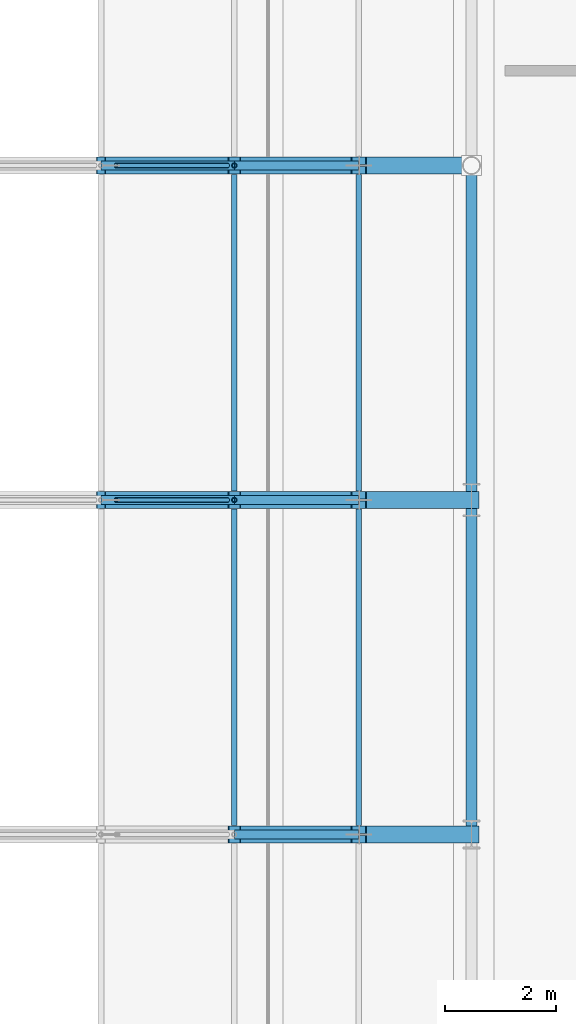
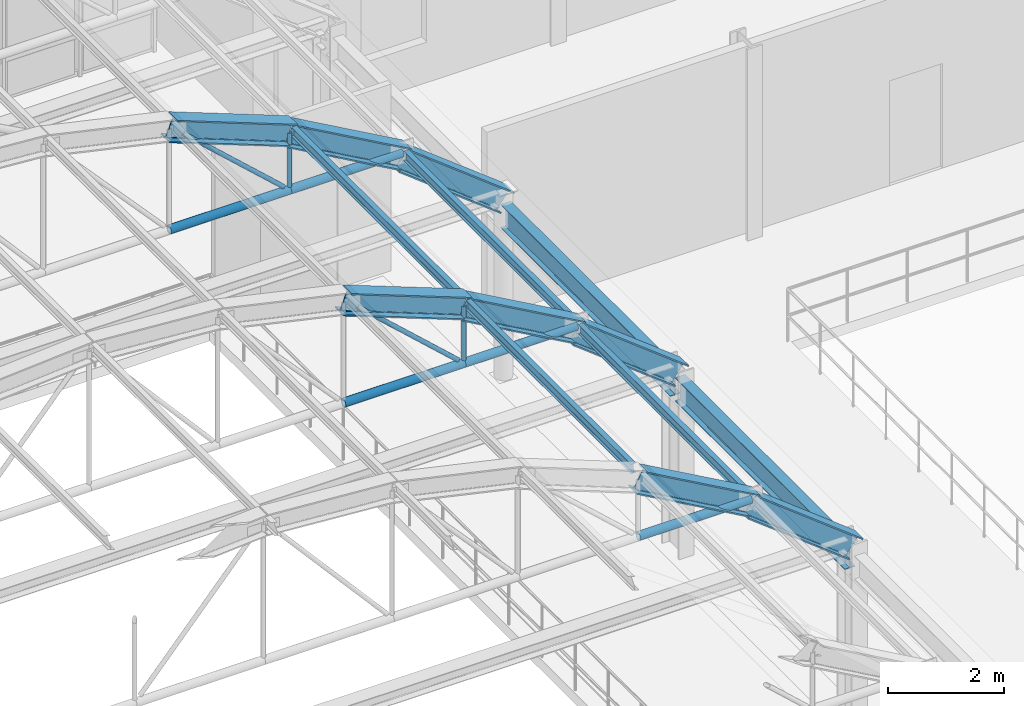
# One storey, part 50 of 148: 14 beams, 9 members.
"""IFC4 building model written with IfcOpenShell, lengths in metres."""

from ifc_helpers import new_model, si_unit, direction, frame, origin, origin_2d, place, context, subcontext, project, spatial, hollow_circle, i_section, extrude, material, material_profile, profile_set, type_object, element, save


model = new_model("IFC4")

# Units and contexts
model_context = context("Model", 3, precision=1e-05, world=origin(), true_north=direction((0.0, 1.0)))
body_context = subcontext(model_context, "Body", "Model", "MODEL_VIEW")
ifc_project = project(units=[si_unit("LENGTHUNIT", "METRE"), si_unit("AREAUNIT", "SQUARE_METRE"), si_unit("VOLUMEUNIT", "CUBIC_METRE"), si_unit("PLANEANGLEUNIT", "RADIAN"), si_unit("MASSUNIT", "GRAM", prefix="KILO"), si_unit("THERMODYNAMICTEMPERATUREUNIT", "KELVIN"), si_unit("POWERUNIT", "WATT")], contexts=[model_context])

# Site, building, storey
site_placement = place(None, origin())
site = spatial("IfcSite", under=ifc_project, at=site_placement, CompositionType="ELEMENT")
building_placement = place(site_placement, origin())
building = spatial("IfcBuilding", under=site, at=building_placement, Name="Solvatero Civic Police Headquarters", CompositionType="ELEMENT")
storey_placement = place(building_placement, frame((0.0, 0.0, 5.10009765625)))
storey = spatial("IfcBuildingStorey", under=building, at=storey_placement, Name="L01", CompositionType="ELEMENT", Elevation=5.10009765625)

# Beams
ifc_material = material(Name="Steel S355", Category="steel")
ifc_material_profile_1 = material_profile(ifc_material, i_section(OverallWidth=0.300048828125, OverallDepth=0.449951171875, WebThickness=0.013916015625, FlangeThickness=0.02587890625, FilletRadius=0.027099609375, at=origin_2d()), Name="HEB 450")
ifc_profile_set_1 = profile_set([ifc_material_profile_1], Name="Steel S355")
beam_type_1 = type_object("IfcBeamType", Name="BM-ST-HEB450", PredefinedType="BEAM", material=ifc_profile_set_1)
for number, where, z_axis, x_axis, name in (
    (1, (117.946533203125, 22.800048828125, 6.590087890625), (0.870765086908, 0.0, -0.491699261156), (0.0, 1.0, 0.0), "VLT1 Tied-Arch Vault Top Chord F4.9"),
    (2, (120.177490234375, 22.800048828125, 5.284912109375), (0.789403525995, 0.0, -0.613874639602), (0.0, 1.0, 0.0), "VLT1 Tied-Arch Vault Top Chord F4.10"),
    (3, (115.55517578125, 28.800048828125, 7.53955078125), (0.933355429458, 0.0, -0.358953537802), (0.0, 1.0, 0.0), "VLT1 Tied-Arch Vault Top Chord F5.8"),
    (4, (117.946533203125, 28.800048828125, 6.590087890625), (0.870765086908, 0.0, -0.491699261156), (0.0, 1.0, 0.0), "VLT1 Tied-Arch Vault Top Chord F5.9"),
    (5, (120.177490234375, 28.800048828125, 5.284912109375), (0.789403525995, 0.0, -0.613874639602), (0.0, 1.0, 0.0), "VLT1 Tied-Arch Vault Top Chord F5.10"),
    (6, (115.55517578125, 34.800048828125, 7.53955078125), (0.933355429458, 0.0, -0.358953537802), (0.0, 1.0, 0.0), "VLT1 Tied-Arch Vault Top Chord F6.8"),
    (7, (117.946533203125, 34.800048828125, 6.590087890625), (0.870765086908, 0.0, -0.491699261156), (0.0, 1.0, 0.0), "VLT1 Tied-Arch Vault Top Chord F6.9"),
    (8, (120.177490234375, 34.800048828125, 5.284912109375), (0.789403525995, 0.0, -0.613874639602), (0.0, 1.0, 0.0), "VLT1 Tied-Arch Vault Top Chord F6.10"),
):
    element("IfcBeam", number, at=place(storey_placement, frame(where, z_axis=z_axis, x_axis=x_axis)), inside=storey, type_object=beam_type_1, Name=name, PredefinedType="BEAM", context=body_context, shape_type="SweptSolid", body=[
        extrude(i_section(OverallWidth=0.300048828125, OverallDepth=0.449951171875, WebThickness=0.013916015625, FlangeThickness=0.02587890625, FilletRadius=0.027099609375, at=origin_2d()), origin(), (0.0, 0.0, 1.0), 2.56201171875),
    ])
ifc_material_profile_2 = material_profile(ifc_material, i_section(OverallWidth=0.10009765625, OverallDepth=0.199951171875, WebThickness=0.005615234375, FlangeThickness=0.008544921875, FilletRadius=0.011962890625, at=origin_2d()), Name="IPE 200")
ifc_profile_set_2 = profile_set([ifc_material_profile_2], Name="Steel S355")
beam_type_2 = type_object("IfcBeamType", Name="BM-ST-IPE200", PredefinedType="JOIST", material=ifc_profile_set_2)
for number, where, z_axis, x_axis, name in (
    (9, (117.946533203125, 22.9580078125, 6.721435546875), (0.0, 1.0, 0.0), (-1.0, 0.0, 0.0), "VLT1 Vault Roof Purlin B4.8"),
    (10, (120.177490234375, 22.9580078125, 5.4326171875), (0.0, 1.0, 0.0), (-1.0, 0.0, 0.0), "VLT1 Vault Roof Purlin B4.9"),
    (11, (117.946533203125, 28.9580078125, 6.721435546875), (0.0, 1.0, 0.0), (-1.0, 0.0, 0.0), "VLT1 Vault Roof Purlin B5.8"),
    (12, (120.177490234375, 28.9580078125, 5.4326171875), (0.0, 1.0, 0.0), (-1.0, 0.0, 0.0), "VLT1 Vault Roof Purlin B5.9"),
):
    element("IfcBeam", number, at=place(storey_placement, frame(where, z_axis=z_axis, x_axis=x_axis)), inside=storey, type_object=beam_type_2, Name=name, PredefinedType="JOIST", context=body_context, shape_type="SweptSolid", body=[
        extrude(i_section(OverallWidth=0.10009765625, OverallDepth=0.199951171875, WebThickness=0.005615234375, FlangeThickness=0.008544921875, FilletRadius=0.011962890625, at=origin_2d()), origin(), (0.0, 0.0, 1.0), 5.68408203125),
    ])
ifc_material_profile_3 = material_profile(ifc_material, i_section(OverallWidth=0.199951171875, OverallDepth=0.5, WebThickness=0.01025390625, FlangeThickness=0.01611328125, FilletRadius=0.02099609375, at=origin_2d()), Name="IPE 500")
ifc_profile_set_3 = profile_set([ifc_material_profile_3], Name="Steel S355")
beam_type_3 = type_object("IfcBeamType", Name="BM-ST-IPE500", PredefinedType="BEAM", material=ifc_profile_set_3)
for number, where, z_axis, x_axis, name in (
    (13, (122.199951171875, 22.8798828125, 3.429931640625), (0.0, 1.0, 0.0), (-1.0, 0.0, 0.0), "Primary girder BM-R2-VLT1-SPR-E-B4"),
    (14, (122.199951171875, 28.8798828125, 3.429931640625), (0.0, 1.0, 0.0), (-1.0, 0.0, 0.0), "Primary girder BM-R2-VLT1-SPR-E-B5"),
):
    element("IfcBeam", number, at=place(storey_placement, frame(where, z_axis=z_axis, x_axis=x_axis)), inside=storey, type_object=beam_type_3, Name=name, PredefinedType="BEAM", context=body_context, shape_type="SweptSolid", body=[
        extrude(i_section(OverallWidth=0.199951171875, OverallDepth=0.5, WebThickness=0.01025390625, FlangeThickness=0.01611328125, FilletRadius=0.02099609375, at=origin_2d()), origin(), (0.0, 0.0, 1.0), 5.840087890625),
    ])

# Members
ifc_material_profile_4 = material_profile(ifc_material, hollow_circle(Radius=0.04443359375, WallThickness=0.00634765625, at=origin_2d()), Name="CHS 88.9x6.3")
ifc_profile_set_4 = profile_set([ifc_material_profile_4], Name="Steel S355")
member_type_1 = type_object("IfcMemberType", Name="MB-HNG-CHS89", PredefinedType="STRUT", material=ifc_profile_set_4)
member_1_placement = place(storey_placement, frame((117.828125, 28.800048828125, 5.49951171875), z_axis=(-0.739076960519, 0.0, 0.673620996132), x_axis=(0.0, -1.0, 0.0)))
element("IfcMember", 15, at=member_1_placement, inside=storey, type_object=member_type_1, Name="VLT1 Vault Truss Diagonal Web F5.7", PredefinedType="STRUT", context=body_context, shape_type="SweptSolid", body=[
    extrude(hollow_circle(Radius=0.04443359375, WallThickness=0.00634765625, at=origin_2d()), origin(), (0.0, 0.0, 1.0), 2.71533203125),
])
member_2_placement = place(storey_placement, frame((117.946533203125, 28.800048828125, 5.431640625), z_axis=(0.0, 0.0, 1.0), x_axis=(1.0, 0.0, 0.0)))
element("IfcMember", 16, at=member_2_placement, inside=storey, type_object=member_type_1, Name="VLT1 Vault Vertical Hanger F5.8", PredefinedType="STRUT", context=body_context, shape_type="SweptSolid", body=[
    extrude(hollow_circle(Radius=0.04443359375, WallThickness=0.00634765625, at=origin_2d()), origin(), (0.0, 0.0, 1.0), 1.169677734375),
])
member_3_placement = place(storey_placement, frame((117.828125, 34.800048828125, 5.49951171875), z_axis=(-0.739076960519, 0.0, 0.673620996132), x_axis=(0.0, -1.0, 0.0)))
element("IfcMember", 17, at=member_3_placement, inside=storey, type_object=member_type_1, Name="VLT1 Vault Truss Diagonal Web F6.7", PredefinedType="STRUT", context=body_context, shape_type="SweptSolid", body=[
    extrude(hollow_circle(Radius=0.04443359375, WallThickness=0.00634765625, at=origin_2d()), origin(), (0.0, 0.0, 1.0), 2.71533203125),
])
member_4_placement = place(storey_placement, frame((117.946533203125, 34.800048828125, 5.431640625), z_axis=(0.0, 0.0, 1.0), x_axis=(1.0, 0.0, 0.0)))
element("IfcMember", 18, at=member_4_placement, inside=storey, type_object=member_type_1, Name="VLT1 Vault Vertical Hanger F6.8", PredefinedType="STRUT", context=body_context, shape_type="SweptSolid", body=[
    extrude(hollow_circle(Radius=0.04443359375, WallThickness=0.00634765625, at=origin_2d()), origin(), (0.0, 0.0, 1.0), 1.169677734375),
])
ifc_material_profile_5 = material_profile(ifc_material, hollow_circle(Radius=0.084228515625, WallThickness=0.010009765625, at=origin_2d()), Name="CHS 168.3x10.0")
ifc_profile_set_5 = profile_set([ifc_material_profile_5], Name="Steel S355")
member_type_2 = type_object("IfcMemberType", Name="MB-TIE-CHS168", PredefinedType="CHORD", material=ifc_profile_set_5)
member_5_placement = place(storey_placement, frame((117.946533203125, 22.800048828125, 5.3916015625), z_axis=(1.0, 0.0, 0.0), x_axis=(0.0, 1.0, 0.0)))
element("IfcMember", 19, at=member_5_placement, inside=storey, type_object=member_type_2, Name="VLT1 Vault Horizontal Tie Chord F4.8", PredefinedType="CHORD", context=body_context, shape_type="SweptSolid", body=[
    extrude(hollow_circle(Radius=0.084228515625, WallThickness=0.010009765625, at=origin_2d()), origin(), (0.0, 0.0, 1.0), 2.23095703125),
])
member_6_placement = place(storey_placement, frame((115.55517578125, 28.800048828125, 5.3916015625), z_axis=(1.0, 0.0, 0.0), x_axis=(0.0, 1.0, 0.0)))
element("IfcMember", 20, at=member_6_placement, inside=storey, type_object=member_type_2, Name="VLT1 Vault Horizontal Tie Chord F5.7", PredefinedType="CHORD", context=body_context, shape_type="SweptSolid", body=[
    extrude(hollow_circle(Radius=0.084228515625, WallThickness=0.010009765625, at=origin_2d()), origin(), (0.0, 0.0, 1.0), 2.391357421875),
])
member_7_placement = place(storey_placement, frame((117.946533203125, 28.800048828125, 5.3916015625), z_axis=(1.0, 0.0, 0.0), x_axis=(0.0, 1.0, 0.0)))
element("IfcMember", 21, at=member_7_placement, inside=storey, type_object=member_type_2, Name="VLT1 Vault Horizontal Tie Chord F5.8", PredefinedType="CHORD", context=body_context, shape_type="SweptSolid", body=[
    extrude(hollow_circle(Radius=0.084228515625, WallThickness=0.010009765625, at=origin_2d()), origin(), (0.0, 0.0, 1.0), 2.23095703125),
])
member_8_placement = place(storey_placement, frame((115.55517578125, 34.800048828125, 5.3916015625), z_axis=(1.0, 0.0, 0.0), x_axis=(0.0, 1.0, 0.0)))
element("IfcMember", 22, at=member_8_placement, inside=storey, type_object=member_type_2, Name="VLT1 Vault Horizontal Tie Chord F6.7", PredefinedType="CHORD", context=body_context, shape_type="SweptSolid", body=[
    extrude(hollow_circle(Radius=0.084228515625, WallThickness=0.010009765625, at=origin_2d()), origin(), (0.0, 0.0, 1.0), 2.391357421875),
])
member_9_placement = place(storey_placement, frame((117.946533203125, 34.800048828125, 5.3916015625), z_axis=(1.0, 0.0, 0.0), x_axis=(0.0, 1.0, 0.0)))
element("IfcMember", 23, at=member_9_placement, inside=storey, type_object=member_type_2, Name="VLT1 Vault Horizontal Tie Chord F6.8", PredefinedType="CHORD", context=body_context, shape_type="SweptSolid", body=[
    extrude(hollow_circle(Radius=0.084228515625, WallThickness=0.010009765625, at=origin_2d()), origin(), (0.0, 0.0, 1.0), 2.23095703125),
])

save(model, "model.ifc")
